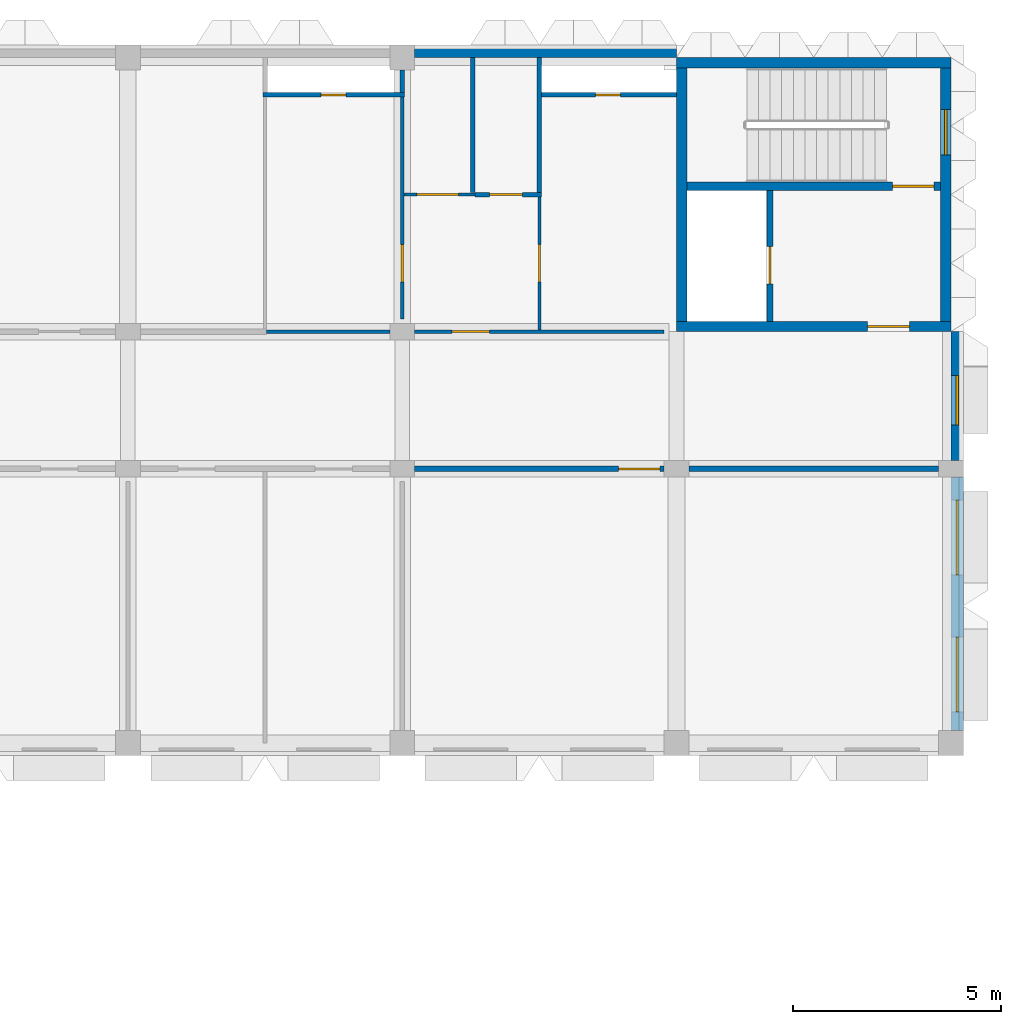
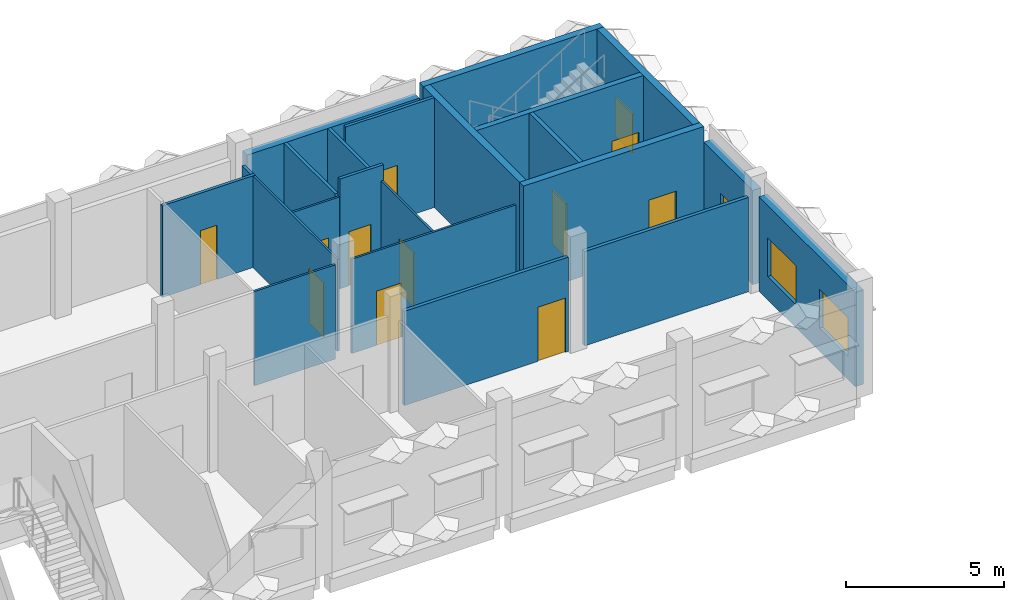
# One storey, part 60 of 109: 22 walls, 11 doors, 4 windows, 15 openings.
"""IFC4 building model written with IfcOpenShell, lengths in metres."""

from ifc_helpers import new_model, si_unit, direction, frame, frame_2d, origin, place, context, subcontext, project, spatial, rectangle, extrude, material, layer, layer_set, type_object, element, fill, save


model = new_model("IFC4")

# Units and contexts
model_context = context("Model", 3, precision=1e-05, world=origin(), true_north=direction((0.0, 1.0)))
body_context = subcontext(model_context, "Body", "Model", "MODEL_VIEW")
ifc_project = project(units=[si_unit("LENGTHUNIT", "METRE"), si_unit("AREAUNIT", "SQUARE_METRE"), si_unit("VOLUMEUNIT", "CUBIC_METRE"), si_unit("PLANEANGLEUNIT", "RADIAN"), si_unit("MASSUNIT", "GRAM", prefix="KILO")], contexts=[model_context])

# Site, building, storey
site_placement = place(None, origin())
site = spatial("IfcSite", under=ifc_project, at=site_placement, CompositionType="ELEMENT")
building_placement = place(site_placement, origin())
building = spatial("IfcBuilding", under=site, at=building_placement, Name="Lantern Court Research Institute", CompositionType="ELEMENT")
storey_placement = place(building_placement, frame((0.0, 0.0, 14.39990234375)))
storey = spatial("IfcBuildingStorey", under=building, at=storey_placement, Name="L03", CompositionType="ELEMENT", Elevation=14.39990234375)

# Wall, openings, windows
ifc_material_1 = material(Name="Concrete C30/37", Category="concrete")
ifc_layer_1 = layer(ifc_material_1, 0.300048828125)
ifc_layer_set_1 = layer_set([ifc_layer_1], Name="Concrete C30/37")
wall_type_1 = type_object("IfcWallType", Name="Insulated concrete infill wall 300", PredefinedType="STANDARD", material=ifc_layer_set_1)
wall_1_placement = place(storey_placement, frame((79.35009765625, 88.89990234375, 0.0), z_axis=(0.0, 0.0, 1.0), x_axis=(0.0, -1.0, 0.0)))
wall_1 = element("IfcWall", 1, at=wall_1_placement, inside=storey, type_object=wall_type_1, Name="Exterior wall EW179", PredefinedType="STANDARD", context=body_context, shape_type="SweptSolid", body=[
    extrude(rectangle(XDim=6.099853515625, YDim=0.300048828125, at=frame_2d((3.0498046875, 0.0))), origin(), (0.0, 0.0, 1.0), 3.650146484375),
])
opening_1_placement = place(wall_1_placement, frame((3.85009765625, 0.0, 0.89990234375)))
opening_1 = element("IfcOpeningElement", 2, at=opening_1_placement, cuts=wall_1, Name="Opening W14", PredefinedType="OPENING", context=body_context, shape_type="SweptSolid", body=[
    extrude(rectangle(XDim=1.800048828125, YDim=1.5, at=frame_2d((0.89990234375, 0.75))), frame((0.0, 0.159912109375, 0.0), z_axis=(0.0, -1.0, 0.0), x_axis=(1.0, 0.0, 0.0)), (0.0, 0.0, 1.0), 0.320068359375),
])
opening_2_placement = place(wall_1_placement, frame((0.550048828125, 0.0, 0.89990234375)))
opening_2 = element("IfcOpeningElement", 3, at=opening_2_placement, cuts=wall_1, Name="Opening W14", PredefinedType="OPENING", context=body_context, shape_type="SweptSolid", body=[
    extrude(rectangle(XDim=1.800048828125, YDim=1.5, at=frame_2d((0.89990234375, 0.75))), frame((0.0, 0.159912109375, 0.0), z_axis=(0.0, -1.0, 0.0), x_axis=(1.0, 0.0, 0.0)), (0.0, 0.0, 1.0), 0.320068359375),
])
ifc_material_2 = material(Name="Aluminium frame with laminated low-emissivity glazing", Category="aluminium")
window_type_1 = type_object("IfcWindowType", Name="Office window 1800 x 1500", PartitioningType="SINGLE_PANEL", PredefinedType="WINDOW", material=ifc_material_2)
window_1_placement = place(opening_1_placement, origin())
window_1 = element("IfcWindow", 4, at=window_1_placement, inside=storey, type_object=window_type_1, Name="Window W14 V6E L03", OverallHeight=1.5, OverallWidth=1.800048828125, PartitioningType="SINGLE_PANEL", PredefinedType="WINDOW", context=body_context, shape_type="SweptSolid", body=[
    extrude(rectangle(XDim=1.800048828125, YDim=1.5, at=frame_2d((0.89990234375, 0.75))), frame((0.0, 0.030029296875, 0.0), z_axis=(0.0, -1.0, 0.0), x_axis=(1.0, 0.0, 0.0)), (0.0, 0.0, 1.0), 0.06005859375),
])
fill(opening_1, window_1)
window_2_placement = place(opening_2_placement, origin())
window_2 = element("IfcWindow", 5, at=window_2_placement, inside=storey, type_object=window_type_1, Name="Window W14 V6E L03", OverallHeight=1.5, OverallWidth=1.800048828125, PartitioningType="SINGLE_PANEL", PredefinedType="WINDOW", context=body_context, shape_type="SweptSolid", body=[
    extrude(rectangle(XDim=1.800048828125, YDim=1.5, at=frame_2d((0.89990234375, 0.75))), frame((0.0, 0.030029296875, 0.0), z_axis=(0.0, -1.0, 0.0), x_axis=(1.0, 0.0, 0.0)), (0.0, 0.0, 1.0), 0.06005859375),
])
fill(opening_2, window_2)

# Wall, opening, window
wall_2_placement = place(storey_placement, frame((79.35009765625, 92.39990234375, 0.0), z_axis=(0.0, 0.0, 1.0), x_axis=(0.0, -1.0, 0.0)))
wall_2 = element("IfcWall", 6, at=wall_2_placement, inside=storey, type_object=wall_type_1, Name="Exterior wall EW180", PredefinedType="STANDARD", context=body_context, shape_type="SweptSolid", body=[
    extrude(rectangle(XDim=3.099853515625, YDim=0.300048828125, at=frame_2d((1.5498046875, 0.0))), origin(), (0.0, 0.0, 1.0), 3.650146484375),
])
opening_3_placement = place(wall_2_placement, frame((1.050048828125, 0.0, 1.10009765625)))
opening_3 = element("IfcOpeningElement", 7, at=opening_3_placement, cuts=wall_2, Name="Opening W05", PredefinedType="OPENING", context=body_context, shape_type="SweptSolid", body=[
    extrude(rectangle(XDim=1.199951171875, YDim=1.199951171875, at=frame_2d((0.60009765625, 0.60009765625))), frame((0.0, 0.159912109375, 0.0), z_axis=(0.0, -1.0, 0.0), x_axis=(1.0, 0.0, 0.0)), (0.0, 0.0, 1.0), 0.320068359375),
])
ifc_material_3 = material(Name="Aluminium frame with laminated low-emissivity glazing", Category="aluminium")
window_type_2 = type_object("IfcWindowType", Name="Corridor end window 1200 x 1200", PartitioningType="SINGLE_PANEL", PredefinedType="WINDOW", material=ifc_material_3)
window_3_placement = place(opening_3_placement, origin())
window_3 = element("IfcWindow", 8, at=window_3_placement, inside=storey, type_object=window_type_2, Name="Window W05 V6E L03", OverallHeight=1.199951171875, OverallWidth=1.199951171875, PartitioningType="SINGLE_PANEL", PredefinedType="WINDOW", context=body_context, shape_type="SweptSolid", body=[
    extrude(rectangle(XDim=1.199951171875, YDim=1.199951171875, at=frame_2d((0.60009765625, 0.60009765625))), frame((0.0, 0.030029296875, 0.0), z_axis=(0.0, -1.0, 0.0), x_axis=(1.0, 0.0, 0.0)), (0.0, 0.0, 1.0), 0.06005859375),
])
fill(opening_3, window_3)

# Wall
ifc_material_4 = material(Name="Concrete C30/37", Category="concrete")
ifc_layer_2 = layer(ifc_material_4, 0.300048828125)
ifc_layer_set_2 = layer_set([ifc_layer_2], Name="Concrete C30/37")
wall_type_2 = type_object("IfcWallType", Name="Party wall 300 concrete EI 120", PredefinedType="STANDARD", material=ifc_layer_set_2)
wall_3_placement = place(storey_placement, frame((66.300048828125, 99.14990234375, 0.0), z_axis=(0.0, 0.0, 1.0), x_axis=(1.0, 0.0, 0.0)))
element("IfcWall", 9, at=wall_3_placement, inside=storey, type_object=wall_type_2, Name="Exterior wall EW190", PredefinedType="STANDARD", context=body_context, shape_type="SweptSolid", body=[
    extrude(rectangle(XDim=6.300048828125, YDim=0.300048828125, at=frame_2d((3.14990234375, 0.0))), origin(), (0.0, 0.0, 1.0), 3.650146484375),
])

# Wall, opening, door
ifc_material_5 = material(Name="Gypsum board on metal studs")
ifc_layer_3 = layer(ifc_material_5, 0.125)
ifc_layer_set_3 = layer_set([ifc_layer_3], Name="Gypsum board on metal studs")
wall_type_3 = type_object("IfcWallType", Name="Protected corridor partition 125 mm EI 30", PredefinedType="PARTITIONING", material=ifc_layer_set_3)
wall_4_placement = place(storey_placement, frame((72.300048828125, 89.10009765625, 0.0), z_axis=(0.0, 0.0, 1.0), x_axis=(-1.0, 0.0, 0.0)))
wall_4 = element("IfcWall", 10, at=wall_4_placement, inside=storey, type_object=wall_type_3, Name="Wall V6-L03-009", PredefinedType="PARTITIONING", context=body_context, shape_type="SweptSolid", body=[
    extrude(rectangle(XDim=6.0, YDim=0.125, at=frame_2d((3.0, 0.0))), origin(), (0.0, 0.0, 1.0), 3.650146484375),
])
opening_4_placement = place(wall_4_placement, frame((0.10009765625, 0.0, 0.0)))
opening_4 = element("IfcOpeningElement", 11, at=opening_4_placement, cuts=wall_4, Name="Opening D6308", PredefinedType="OPENING", context=body_context, shape_type="SweptSolid", body=[
    extrude(rectangle(XDim=1.0, YDim=2.10009765625, at=frame_2d((0.5, 1.050048828125))), frame((0.0, 0.072509765625, 0.0), z_axis=(0.0, -1.0, 0.0), x_axis=(1.0, 0.0, 0.0)), (0.0, 0.0, 1.0), 0.14501953125),
])
ifc_material_6 = material(Name="Timber veneered door leaf", Category="wood")
door_type_1 = type_object("IfcDoorType", Name="Door 1000 x 2100 meeting room FD30S", OperationType="NOTDEFINED", PredefinedType="DOOR", material=ifc_material_6)
door_1_placement = place(opening_4_placement, origin())
door_1 = element("IfcDoor", 12, at=door_1_placement, inside=storey, type_object=door_type_1, Name="Door D6308", OperationType="SINGLE_SWING_RIGHT", OverallHeight=2.10009765625, OverallWidth=1.0, PredefinedType="DOOR", context=body_context, shape_type="SweptSolid", body=[
    extrude(rectangle(XDim=1.0, YDim=2.10009765625, at=frame_2d((0.5, 1.050048828125))), frame((0.0, 0.02490234375, 0.0), z_axis=(0.0, -1.0, 0.0), x_axis=(1.0, 0.0, 0.0)), (0.0, 0.0, 1.0), 0.050048828125),
])
fill(opening_4, door_1)

# Wall
wall_5_placement = place(storey_placement, frame((72.89990234375, 89.10009765625, 0.0), z_axis=(0.0, 0.0, 1.0), x_axis=(1.0, 0.0, 0.0)))
element("IfcWall", 13, at=wall_5_placement, inside=storey, type_object=wall_type_3, Name="Wall V6-L03-010", PredefinedType="PARTITIONING", context=body_context, shape_type="SweptSolid", body=[
    extrude(rectangle(XDim=6.0, YDim=0.125, at=frame_2d((3.0, 0.0))), origin(), (0.0, 0.0, 1.0), 3.650146484375),
])

# Wall, opening, door
ifc_material_7 = material(Name="Concrete C40/50", Category="concrete")
ifc_layer_4 = layer(ifc_material_7, 0.25)
ifc_layer_set_4 = layer_set([ifc_layer_4], Name="Concrete C40/50")
wall_type_4 = type_object("IfcWallType", Name="RC core wall 250", PredefinedType="SHEAR", material=ifc_layer_set_4)
wall_6_placement = place(storey_placement, frame((72.60009765625, 92.52490234375, 0.0), z_axis=(0.0, 0.0, 1.0), x_axis=(1.0, 0.0, 0.0)))
wall_6 = element("IfcWall", 14, at=wall_6_placement, inside=storey, type_object=wall_type_4, Name="South wall of core WC-E", PredefinedType="SHEAR", context=body_context, shape_type="SweptSolid", body=[
    extrude(rectangle(XDim=6.599853515625, YDim=0.25, at=frame_2d((3.2998046875, 0.0))), origin(), (0.0, 0.0, 1.0), 4.25),
])
opening_5_placement = place(wall_6_placement, frame((4.60009765625, 0.0, 0.0)))
opening_5 = element("IfcOpeningElement", 15, at=opening_5_placement, cuts=wall_6, Name="Opening D7268", PredefinedType="OPENING", context=body_context, shape_type="SweptSolid", body=[
    extrude(rectangle(XDim=1.0, YDim=2.10009765625, at=frame_2d((0.5, 1.050048828125))), frame((0.0, 0.135009765625, 0.0), z_axis=(0.0, -1.0, 0.0), x_axis=(1.0, 0.0, 0.0)), (0.0, 0.0, 1.0), 0.27001953125),
])
ifc_material_8 = material(Name="Steel fire door leaf with smoke seals", Category="steel")
door_type_2 = type_object("IfcDoorType", Name="Door 1000 x 2100 fire rated FD60S", OperationType="NOTDEFINED", PredefinedType="DOOR", material=ifc_material_8)
door_2_placement = place(opening_5_placement, origin())
door_2 = element("IfcDoor", 16, at=door_2_placement, inside=storey, type_object=door_type_2, Name="Lobby door", OperationType="SINGLE_SWING_LEFT", OverallHeight=2.10009765625, OverallWidth=1.0, PredefinedType="DOOR", context=body_context, shape_type="SweptSolid", body=[
    extrude(rectangle(XDim=1.0, YDim=2.10009765625, at=frame_2d((0.5, 1.050048828125))), frame((0.0, 0.02490234375, 0.0), z_axis=(0.0, -1.0, 0.0), x_axis=(1.0, 0.0, 0.0)), (0.0, 0.0, 1.0), 0.050048828125),
])
fill(opening_5, door_2)

# Walls
wall_7_placement = place(storey_placement, frame((72.72509765625, 92.64990234375, 0.0), z_axis=(0.0, 0.0, 1.0), x_axis=(0.0, 1.0, 0.0)))
element("IfcWall", 17, at=wall_7_placement, inside=storey, type_object=wall_type_4, Name="West wall of core WC-E", PredefinedType="SHEAR", context=body_context, shape_type="SweptSolid", body=[
    extrude(rectangle(XDim=6.10009765625, YDim=0.25, at=frame_2d((3.050048828125, 0.0))), origin(), (0.0, 0.0, 1.0), 4.25),
])
ifc_material_9 = material(Name="Concrete C40/50", Category="concrete")
ifc_layer_5 = layer(ifc_material_9, 0.25)
ifc_layer_set_5 = layer_set([ifc_layer_5], Name="Concrete C40/50")
wall_type_5 = type_object("IfcWallType", Name="RC core wall 250 facade", PredefinedType="SHEAR", material=ifc_layer_set_5)
wall_8_placement = place(storey_placement, frame((72.60009765625, 98.875, 0.0), z_axis=(0.0, 0.0, 1.0), x_axis=(1.0, 0.0, 0.0)))
element("IfcWall", 18, at=wall_8_placement, inside=storey, type_object=wall_type_5, Name="North wall of core WC-E", PredefinedType="SHEAR", context=body_context, shape_type="SweptSolid", body=[
    extrude(rectangle(XDim=6.599853515625, YDim=0.25, at=frame_2d((3.2998046875, 0.0))), origin(), (0.0, 0.0, 1.0), 4.25),
])

# Wall, opening, window
wall_9_placement = place(storey_placement, frame((79.074951171875, 92.64990234375, 0.0), z_axis=(0.0, 0.0, 1.0), x_axis=(0.0, 1.0, 0.0)))
wall_9 = element("IfcWall", 19, at=wall_9_placement, inside=storey, type_object=wall_type_5, Name="East wall of core WC-E", PredefinedType="SHEAR", context=body_context, shape_type="SweptSolid", body=[
    extrude(rectangle(XDim=6.10009765625, YDim=0.25, at=frame_2d((3.050048828125, 0.0))), origin(), (0.0, 0.0, 1.0), 4.25),
])
opening_6_placement = place(wall_9_placement, frame((4.0, 0.0, 0.699951171875)))
opening_6 = element("IfcOpeningElement", 20, at=opening_6_placement, cuts=wall_9, Name="Opening W5", PredefinedType="OPENING", context=body_context, shape_type="SweptSolid", body=[
    extrude(rectangle(XDim=1.10009765625, YDim=1.5, at=frame_2d((0.550048828125, 0.75))), frame((0.0, 0.135009765625, 0.0), z_axis=(0.0, -1.0, 0.0), x_axis=(1.0, 0.0, 0.0)), (0.0, 0.0, 1.0), 0.27001953125),
])
ifc_material_10 = material(Name="Aluminium alloy 6063-T6 frame with laminated glass", Category="aluminium")
window_type_3 = type_object("IfcWindowType", Name="Stair window 1100 x 1500", PartitioningType="SINGLE_PANEL", PredefinedType="WINDOW", material=ifc_material_10)
window_4_placement = place(opening_6_placement, origin())
window_4 = element("IfcWindow", 21, at=window_4_placement, inside=storey, type_object=window_type_3, Name="Stair window", OverallHeight=1.5, OverallWidth=1.10009765625, PartitioningType="SINGLE_PANEL", PredefinedType="WINDOW", context=body_context, shape_type="SweptSolid", body=[
    extrude(rectangle(XDim=1.10009765625, YDim=1.5, at=frame_2d((0.550048828125, 0.75))), frame((0.0, 0.030029296875, 0.0), z_axis=(0.0, -1.0, 0.0), x_axis=(1.0, 0.0, 0.0)), (0.0, 0.0, 1.0), 0.06005859375),
])
fill(opening_6, window_4)

# Wall, opening, door
ifc_material_11 = material(Name="Concrete C40/50", Category="concrete")
ifc_layer_6 = layer(ifc_material_11, 0.14990234375)
ifc_layer_set_6 = layer_set([ifc_layer_6], Name="Concrete C40/50")
wall_type_6 = type_object("IfcWallType", Name="RC shaft wall 150", PredefinedType="SHEAR", material=ifc_layer_set_6)
wall_10_placement = place(storey_placement, frame((74.85009765625, 92.64990234375, 0.0), z_axis=(0.0, 0.0, 1.0), x_axis=(0.0, 1.0, 0.0)))
wall_10 = element("IfcWall", 22, at=wall_10_placement, inside=storey, type_object=wall_type_6, Name="Riser wall of core WC-E", PredefinedType="SHEAR", context=body_context, shape_type="SweptSolid", body=[
    extrude(rectangle(XDim=3.150146484375, YDim=0.14990234375, at=frame_2d((1.5751953125, 0.0))), origin(), (0.0, 0.0, 1.0), 4.25),
])
opening_7_placement = place(wall_10_placement, frame((0.89990234375, 0.0, 0.0)))
opening_7 = element("IfcOpeningElement", 23, at=opening_7_placement, cuts=wall_10, Name="Opening D7267", PredefinedType="OPENING", context=body_context, shape_type="SweptSolid", body=[
    extrude(rectangle(XDim=0.89990234375, YDim=2.10009765625, at=frame_2d((0.449951171875, 1.050048828125))), frame((0.0, 0.0849609375, 0.0), z_axis=(0.0, -1.0, 0.0), x_axis=(1.0, 0.0, 0.0)), (0.0, 0.0, 1.0), 0.169921875),
])
ifc_material_12 = material(Name="Steel fire door leaf", Category="steel")
door_type_3 = type_object("IfcDoorType", Name="Door 900 x 2100 fire rated FD60", OperationType="NOTDEFINED", PredefinedType="DOOR", material=ifc_material_12)
door_3_placement = place(opening_7_placement, origin())
door_3 = element("IfcDoor", 24, at=door_3_placement, inside=storey, type_object=door_type_3, Name="Riser door", OperationType="SINGLE_SWING_LEFT", OverallHeight=2.10009765625, OverallWidth=0.89990234375, PredefinedType="DOOR", context=body_context, shape_type="SweptSolid", body=[
    extrude(rectangle(XDim=0.89990234375, YDim=2.10009765625, at=frame_2d((0.449951171875, 1.050048828125))), frame((0.0, 0.02490234375, 0.0), z_axis=(0.0, -1.0, 0.0), x_axis=(1.0, 0.0, 0.0)), (0.0, 0.0, 1.0), 0.050048828125),
])
fill(opening_7, door_3)

ifc_material_13 = material(Name="Concrete C40/50", Category="concrete")
ifc_layer_7 = layer(ifc_material_13, 0.199951171875)
ifc_layer_set_7 = layer_set([ifc_layer_7], Name="Concrete C40/50")
wall_type_7 = type_object("IfcWallType", Name="RC shaft wall 200", PredefinedType="SHEAR", material=ifc_layer_set_7)
wall_11_placement = place(storey_placement, frame((72.85009765625, 95.89990234375, 0.0), z_axis=(0.0, 0.0, 1.0), x_axis=(1.0, 0.0, 0.0)))
wall_11 = element("IfcWall", 25, at=wall_11_placement, inside=storey, type_object=wall_type_7, Name="Stair wall of core WC-E", PredefinedType="SHEAR", context=body_context, shape_type="SweptSolid", body=[
    extrude(rectangle(XDim=6.099853515625, YDim=0.199951171875, at=frame_2d((3.0498046875, 0.0))), origin(), (0.0, 0.0, 1.0), 4.25),
])
opening_8_placement = place(wall_11_placement, frame((4.949951171875, 0.0, 0.0)))
opening_8 = element("IfcOpeningElement", 26, at=opening_8_placement, cuts=wall_11, Name="Opening D7269", PredefinedType="OPENING", context=body_context, shape_type="SweptSolid", body=[
    extrude(rectangle(XDim=1.0, YDim=2.10009765625, at=frame_2d((0.5, 1.050048828125))), frame((0.0, 0.10986328125, 0.0), z_axis=(0.0, -1.0, 0.0), x_axis=(1.0, 0.0, 0.0)), (0.0, 0.0, 1.0), 0.219970703125),
])
door_4_placement = place(opening_8_placement, origin())
door_4 = element("IfcDoor", 27, at=door_4_placement, inside=storey, type_object=door_type_2, Name="Stair door", OperationType="SINGLE_SWING_LEFT", OverallHeight=2.10009765625, OverallWidth=1.0, PredefinedType="DOOR", context=body_context, shape_type="SweptSolid", body=[
    extrude(rectangle(XDim=1.0, YDim=2.10009765625, at=frame_2d((0.5, 1.050048828125))), frame((0.0, 0.02490234375, 0.0), z_axis=(0.0, -1.0, 0.0), x_axis=(1.0, 0.0, 0.0)), (0.0, 0.0, 1.0), 0.050048828125),
])
fill(opening_8, door_4)

ifc_material_14 = material(Name="Fire-rated gypsum board on metal studs")
ifc_layer_8 = layer(ifc_material_14, 0.110107421875)
ifc_layer_set_8 = layer_set([ifc_layer_8], Name="Fire-rated gypsum board on metal studs")
wall_type_8 = type_object("IfcWallType", Name="Riser wall 110 mm EI 60", PredefinedType="PARTITIONING", material=ifc_layer_set_8)
wall_12_placement = place(storey_placement, frame((67.7548828125, 95.699951171875, 0.0), z_axis=(0.0, 0.0, 1.0), x_axis=(1.0, 0.0, 0.0)))
wall_12 = element("IfcWall", 28, at=wall_12_placement, inside=storey, type_object=wall_type_8, Name="Wall V6-L03-026", PredefinedType="PARTITIONING", context=body_context, shape_type="SweptSolid", body=[
    extrude(rectangle(XDim=1.60009765625, YDim=0.110107421875, at=frame_2d((0.800048828125, 0.0))), origin(), (0.0, 0.0, 1.0), 4.25),
])
opening_9_placement = place(wall_12_placement, frame((0.344970703125, 0.0, 0.0)))
opening_9 = element("IfcOpeningElement", 29, at=opening_9_placement, cuts=wall_12, Name="Opening D6322", PredefinedType="OPENING", context=body_context, shape_type="SweptSolid", body=[
    extrude(rectangle(XDim=0.800048828125, YDim=2.10009765625, at=frame_2d((0.39990234375, 1.050048828125))), frame((0.0, 0.06494140625, 0.0), z_axis=(0.0, -1.0, 0.0), x_axis=(1.0, 0.0, 0.0)), (0.0, 0.0, 1.0), 0.130126953125),
])
ifc_material_15 = material(Name="Coated metal door leaf")
door_type_4 = type_object("IfcDoorType", Name="Door 800 x 2100 cleaners store FD60", OperationType="NOTDEFINED", PredefinedType="DOOR", material=ifc_material_15)
door_5_placement = place(opening_9_placement, origin())
door_5 = element("IfcDoor", 30, at=door_5_placement, inside=storey, type_object=door_type_4, Name="Door D6322", OperationType="SINGLE_SWING_LEFT", OverallHeight=2.10009765625, OverallWidth=0.800048828125, PredefinedType="DOOR", context=body_context, shape_type="SweptSolid", body=[
    extrude(rectangle(XDim=0.800048828125, YDim=2.10009765625, at=frame_2d((0.39990234375, 1.050048828125))), frame((0.0, 0.02490234375, 0.0), z_axis=(0.0, -1.0, 0.0), x_axis=(1.0, 0.0, 0.0)), (0.0, 0.0, 1.0), 0.050048828125),
])
fill(opening_9, door_5)

wall_13_placement = place(storey_placement, frame((66.054931640625, 98.10009765625, 0.0), z_axis=(0.0, 0.0, 1.0), x_axis=(-1.0, 0.0, 0.0)))
wall_13 = element("IfcWall", 31, at=wall_13_placement, inside=storey, type_object=wall_type_8, Name="Wall V6-L03-029", PredefinedType="PARTITIONING", context=body_context, shape_type="SweptSolid", body=[
    extrude(rectangle(XDim=3.409912109375, YDim=0.110107421875, at=frame_2d((1.705078125, 0.0))), origin(), (0.0, 0.0, 1.0), 3.550048828125),
])
opening_10_placement = place(wall_13_placement, frame((1.405029296875, 0.0, 0.0)))
opening_10 = element("IfcOpeningElement", 32, at=opening_10_placement, cuts=wall_13, Name="Opening D6325", PredefinedType="OPENING", context=body_context, shape_type="SweptSolid", body=[
    extrude(rectangle(XDim=0.60009765625, YDim=2.10009765625, at=frame_2d((0.300048828125, 1.050048828125))), frame((0.0, 0.06494140625, 0.0), z_axis=(0.0, -1.0, 0.0), x_axis=(1.0, 0.0, 0.0)), (0.0, 0.0, 1.0), 0.130126953125),
])
ifc_material_16 = material(Name="Coated metal door leaf")
door_type_5 = type_object("IfcDoorType", Name="Door 600 x 2100 riser FD60", OperationType="NOTDEFINED", PredefinedType="DOOR", material=ifc_material_16)
door_6_placement = place(opening_10_placement, origin())
door_6 = element("IfcDoor", 33, at=door_6_placement, inside=storey, type_object=door_type_5, Name="Door D6325", OperationType="SINGLE_SWING_RIGHT", OverallHeight=2.10009765625, OverallWidth=0.60009765625, PredefinedType="DOOR", context=body_context, shape_type="SweptSolid", body=[
    extrude(rectangle(XDim=0.60009765625, YDim=2.10009765625, at=frame_2d((0.300048828125, 1.050048828125))), frame((0.0, 0.02490234375, 0.0), z_axis=(0.0, -1.0, 0.0), x_axis=(1.0, 0.0, 0.0)), (0.0, 0.0, 1.0), 0.050048828125),
])
fill(opening_10, door_6)

wall_14_placement = place(storey_placement, frame((72.60009765625, 98.10009765625, 0.0), z_axis=(0.0, 0.0, 1.0), x_axis=(-1.0, 0.0, 0.0)))
wall_14 = element("IfcWall", 34, at=wall_14_placement, inside=storey, type_object=wall_type_8, Name="Wall V6-L03-030", PredefinedType="PARTITIONING", context=body_context, shape_type="SweptSolid", body=[
    extrude(rectangle(XDim=3.2451171875, YDim=0.110107421875, at=frame_2d((1.62255859375, 0.0))), origin(), (0.0, 0.0, 1.0), 4.25),
])
opening_11_placement = place(wall_14_placement, frame((1.35009765625, 0.0, 0.0)))
opening_11 = element("IfcOpeningElement", 35, at=opening_11_placement, cuts=wall_14, Name="Opening D6326", PredefinedType="OPENING", context=body_context, shape_type="SweptSolid", body=[
    extrude(rectangle(XDim=0.60009765625, YDim=2.10009765625, at=frame_2d((0.300048828125, 1.050048828125))), frame((0.0, 0.06494140625, 0.0), z_axis=(0.0, -1.0, 0.0), x_axis=(1.0, 0.0, 0.0)), (0.0, 0.0, 1.0), 0.130126953125),
])
door_7_placement = place(opening_11_placement, origin())
door_7 = element("IfcDoor", 36, at=door_7_placement, inside=storey, type_object=door_type_5, Name="Door D6326", OperationType="SINGLE_SWING_LEFT", OverallHeight=2.10009765625, OverallWidth=0.60009765625, PredefinedType="DOOR", context=body_context, shape_type="SweptSolid", body=[
    extrude(rectangle(XDim=0.60009765625, YDim=2.10009765625, at=frame_2d((0.300048828125, 1.050048828125))), frame((0.0, 0.02490234375, 0.0), z_axis=(0.0, -1.0, 0.0), x_axis=(1.0, 0.0, 0.0)), (0.0, 0.0, 1.0), 0.050048828125),
])
fill(opening_11, door_7)

# Walls
wall_15_placement = place(storey_placement, frame((66.0, 98.155029296875, 0.0), z_axis=(0.0, 0.0, 1.0), x_axis=(0.0, 1.0, 0.0)))
element("IfcWall", 37, at=wall_15_placement, inside=storey, type_object=wall_type_8, Name="Wall V6-L03-054", PredefinedType="PARTITIONING", context=body_context, shape_type="SweptSolid", body=[
    extrude(rectangle(XDim=0.544921875, YDim=0.110107421875, at=frame_2d((0.2724609375, 0.0))), origin(), (0.0, 0.0, 1.0), 3.550048828125),
])
for number, where, z_axis, x_axis, name in (
    (38, (67.699951171875, 95.7548828125, 0.0), (0.0, 0.0, 1.0), (0.0, 1.0, 0.0), "Wall V6-L03-055"),
    (39, (69.300048828125, 95.7548828125, 0.0), (0.0, 0.0, 1.0), (0.0, 1.0, 0.0), "Wall V6-L03-057"),
):
    element("IfcWall", number, at=place(storey_placement, frame(where, z_axis=z_axis, x_axis=x_axis)), inside=storey, type_object=wall_type_8, Name=name, PredefinedType="PARTITIONING", context=body_context, shape_type="SweptSolid", body=[
        extrude(rectangle(XDim=3.2451171875, YDim=0.110107421875, at=frame_2d((1.62255859375, 0.0))), origin(), (0.0, 0.0, 1.0), 3.650146484375),
    ])

# Wall, opening, door
ifc_material_17 = material(Name="Gypsum board on metal studs")
ifc_layer_9 = layer(ifc_material_17, 0.074951171875)
ifc_layer_set_9 = layer_set([ifc_layer_9], Name="Gypsum board on metal studs")
wall_type_9 = type_object("IfcWallType", Name="Service partition 75 mm", PredefinedType="PARTITIONING", material=ifc_layer_set_9)
wall_16_placement = place(storey_placement, frame((67.7548828125, 95.699951171875, 0.0), z_axis=(0.0, 0.0, 1.0), x_axis=(-1.0, 0.0, 0.0)))
wall_16 = element("IfcWall", 40, at=wall_16_placement, inside=storey, type_object=wall_type_9, Name="Wall V6-L03-025", PredefinedType="PARTITIONING", context=body_context, shape_type="SweptSolid", body=[
    extrude(rectangle(XDim=1.7177734375, YDim=0.074951171875, at=frame_2d((0.85888671875, 0.0))), origin(), (0.0, 0.0, 1.0), 3.550048828125),
])
opening_12_placement = place(wall_16_placement, frame((0.405029296875, 0.0, 0.0)))
opening_12 = element("IfcOpeningElement", 41, at=opening_12_placement, cuts=wall_16, Name="Opening D6321", PredefinedType="OPENING", context=body_context, shape_type="SweptSolid", body=[
    extrude(rectangle(XDim=1.0, YDim=2.10009765625, at=frame_2d((0.5, 1.050048828125))), frame((0.0, 0.04736328125, 0.0), z_axis=(0.0, -1.0, 0.0), x_axis=(1.0, 0.0, 0.0)), (0.0, 0.0, 1.0), 0.094970703125),
])
ifc_material_18 = material(Name="Timber veneered door leaf", Category="wood")
door_type_6 = type_object("IfcDoorType", Name="Door 1000 x 2100 accessible WC", OperationType="NOTDEFINED", PredefinedType="DOOR", material=ifc_material_18)
door_8_placement = place(opening_12_placement, origin())
door_8 = element("IfcDoor", 42, at=door_8_placement, inside=storey, type_object=door_type_6, Name="Door D6321", OperationType="SINGLE_SWING_RIGHT", OverallHeight=2.10009765625, OverallWidth=1.0, PredefinedType="DOOR", context=body_context, shape_type="SweptSolid", body=[
    extrude(rectangle(XDim=1.0, YDim=2.10009765625, at=frame_2d((0.5, 1.050048828125))), frame((0.0, 0.02490234375, 0.0), z_axis=(0.0, -1.0, 0.0), x_axis=(1.0, 0.0, 0.0)), (0.0, 0.0, 1.0), 0.050048828125),
])
fill(opening_12, door_8)

wall_17_placement = place(storey_placement, frame((66.0, 92.699951171875, 0.0), z_axis=(0.0, 0.0, 1.0), x_axis=(0.0, 1.0, 0.0)))
wall_17 = element("IfcWall", 43, at=wall_17_placement, inside=storey, type_object=wall_type_9, Name="Wall V6-L03-053", PredefinedType="PARTITIONING", context=body_context, shape_type="SweptSolid", body=[
    extrude(rectangle(XDim=5.344970703125, YDim=0.074951171875, at=frame_2d((2.67236328125, 0.0))), origin(), (0.0, 0.0, 1.0), 3.550048828125),
])
opening_13_placement = place(wall_17_placement, frame((0.89990234375, 0.0, 0.0)))
opening_13 = element("IfcOpeningElement", 44, at=opening_13_placement, cuts=wall_17, Name="Opening D6329", PredefinedType="OPENING", context=body_context, shape_type="SweptSolid", body=[
    extrude(rectangle(XDim=0.89990234375, YDim=2.10009765625, at=frame_2d((0.449951171875, 1.050048828125))), frame((0.0, 0.04736328125, 0.0), z_axis=(0.0, -1.0, 0.0), x_axis=(1.0, 0.0, 0.0)), (0.0, 0.0, 1.0), 0.094970703125),
])
ifc_material_19 = material(Name="Timber veneered door leaf", Category="wood")
door_type_7 = type_object("IfcDoorType", Name="Door 900 x 2100 WC", OperationType="NOTDEFINED", PredefinedType="DOOR", material=ifc_material_19)
door_9_placement = place(opening_13_placement, origin())
door_9 = element("IfcDoor", 45, at=door_9_placement, inside=storey, type_object=door_type_7, Name="Door D6329", OperationType="SINGLE_SWING_LEFT", OverallHeight=2.10009765625, OverallWidth=0.89990234375, PredefinedType="DOOR", context=body_context, shape_type="SweptSolid", body=[
    extrude(rectangle(XDim=0.89990234375, YDim=2.10009765625, at=frame_2d((0.449951171875, 1.050048828125))), frame((0.0, 0.02490234375, 0.0), z_axis=(0.0, -1.0, 0.0), x_axis=(1.0, 0.0, 0.0)), (0.0, 0.0, 1.0), 0.050048828125),
])
fill(opening_13, door_9)

wall_18_placement = place(storey_placement, frame((69.300048828125, 95.64501953125, 0.0), z_axis=(0.0, 0.0, 1.0), x_axis=(0.0, -1.0, 0.0)))
wall_18 = element("IfcWall", 46, at=wall_18_placement, inside=storey, type_object=wall_type_9, Name="Wall V6-L03-056", PredefinedType="PARTITIONING", context=body_context, shape_type="SweptSolid", body=[
    extrude(rectangle(XDim=3.20703125, YDim=0.074951171875, at=frame_2d((1.603515625, 0.0))), origin(), (0.0, 0.0, 1.0), 3.650146484375),
])
opening_14_placement = place(wall_18_placement, frame((1.14501953125, 0.0, 0.0)))
opening_14 = element("IfcOpeningElement", 47, at=opening_14_placement, cuts=wall_18, Name="Opening D6330", PredefinedType="OPENING", context=body_context, shape_type="SweptSolid", body=[
    extrude(rectangle(XDim=0.89990234375, YDim=2.10009765625, at=frame_2d((0.449951171875, 1.050048828125))), frame((0.0, 0.04736328125, 0.0), z_axis=(0.0, -1.0, 0.0), x_axis=(1.0, 0.0, 0.0)), (0.0, 0.0, 1.0), 0.094970703125),
])
door_10_placement = place(opening_14_placement, origin())
door_10 = element("IfcDoor", 48, at=door_10_placement, inside=storey, type_object=door_type_7, Name="Door D6330", OperationType="SINGLE_SWING_RIGHT", OverallHeight=2.10009765625, OverallWidth=0.89990234375, PredefinedType="DOOR", context=body_context, shape_type="SweptSolid", body=[
    extrude(rectangle(XDim=0.89990234375, YDim=2.10009765625, at=frame_2d((0.449951171875, 1.050048828125))), frame((0.0, 0.02490234375, 0.0), z_axis=(0.0, -1.0, 0.0), x_axis=(1.0, 0.0, 0.0)), (0.0, 0.0, 1.0), 0.050048828125),
])
fill(opening_14, door_10)

# Wall
ifc_material_20 = material(Name="Gypsum board on metal studs")
ifc_layer_10 = layer(ifc_material_20, 0.074951171875)
ifc_layer_set_10 = layer_set([ifc_layer_10], Name="Gypsum board on metal studs")
wall_type_10 = type_object("IfcWallType", Name="Service partition 75 mm EI 30", PredefinedType="PARTITIONING", material=ifc_layer_set_10)
wall_19_placement = place(storey_placement, frame((62.738037109375, 92.39990234375, 0.0), z_axis=(0.0, 0.0, 1.0), x_axis=(1.0, 0.0, 0.0)))
element("IfcWall", 49, at=wall_19_placement, inside=storey, type_object=wall_type_10, Name="Wall V6-L03-021", PredefinedType="PARTITIONING", context=body_context, shape_type="SweptSolid", body=[
    extrude(rectangle(XDim=2.9619140625, YDim=0.074951171875, at=frame_2d((1.48095703125, 0.0))), origin(), (0.0, 0.0, 1.0), 3.650146484375),
])

# Wall, opening, door
wall_20_placement = place(storey_placement, frame((66.300048828125, 92.39990234375, 0.0), z_axis=(0.0, 0.0, 1.0), x_axis=(1.0, 0.0, 0.0)))
wall_20 = element("IfcWall", 50, at=wall_20_placement, inside=storey, type_object=wall_type_10, Name="Wall V6-L03-022", PredefinedType="PARTITIONING", context=body_context, shape_type="SweptSolid", body=[
    extrude(rectangle(XDim=6.0, YDim=0.074951171875, at=frame_2d((3.0, 0.0))), origin(), (0.0, 0.0, 1.0), 3.650146484375),
])
opening_15_placement = place(wall_20_placement, frame((0.89990234375, 0.0, 0.0)))
opening_15 = element("IfcOpeningElement", 51, at=opening_15_placement, cuts=wall_20, Name="Opening D6318", PredefinedType="OPENING", context=body_context, shape_type="SweptSolid", body=[
    extrude(rectangle(XDim=0.89990234375, YDim=2.10009765625, at=frame_2d((0.449951171875, 1.050048828125))), frame((0.0, 0.04736328125, 0.0), z_axis=(0.0, -1.0, 0.0), x_axis=(1.0, 0.0, 0.0)), (0.0, 0.0, 1.0), 0.094970703125),
])
ifc_material_21 = material(Name="Timber veneered door leaf", Category="wood")
door_type_8 = type_object("IfcDoorType", Name="Door 900 x 2100 WC FD30S", OperationType="NOTDEFINED", PredefinedType="DOOR", material=ifc_material_21)
door_11_placement = place(opening_15_placement, origin())
door_11 = element("IfcDoor", 52, at=door_11_placement, inside=storey, type_object=door_type_8, Name="Door D6318", OperationType="SINGLE_SWING_RIGHT", OverallHeight=2.10009765625, OverallWidth=0.89990234375, PredefinedType="DOOR", context=body_context, shape_type="SweptSolid", body=[
    extrude(rectangle(XDim=0.89990234375, YDim=2.10009765625, at=frame_2d((0.449951171875, 1.050048828125))), frame((0.0, 0.02490234375, 0.0), z_axis=(0.0, -1.0, 0.0), x_axis=(1.0, 0.0, 0.0)), (0.0, 0.0, 1.0), 0.050048828125),
])
fill(opening_15, door_11)

save(model, "model.ifc")
